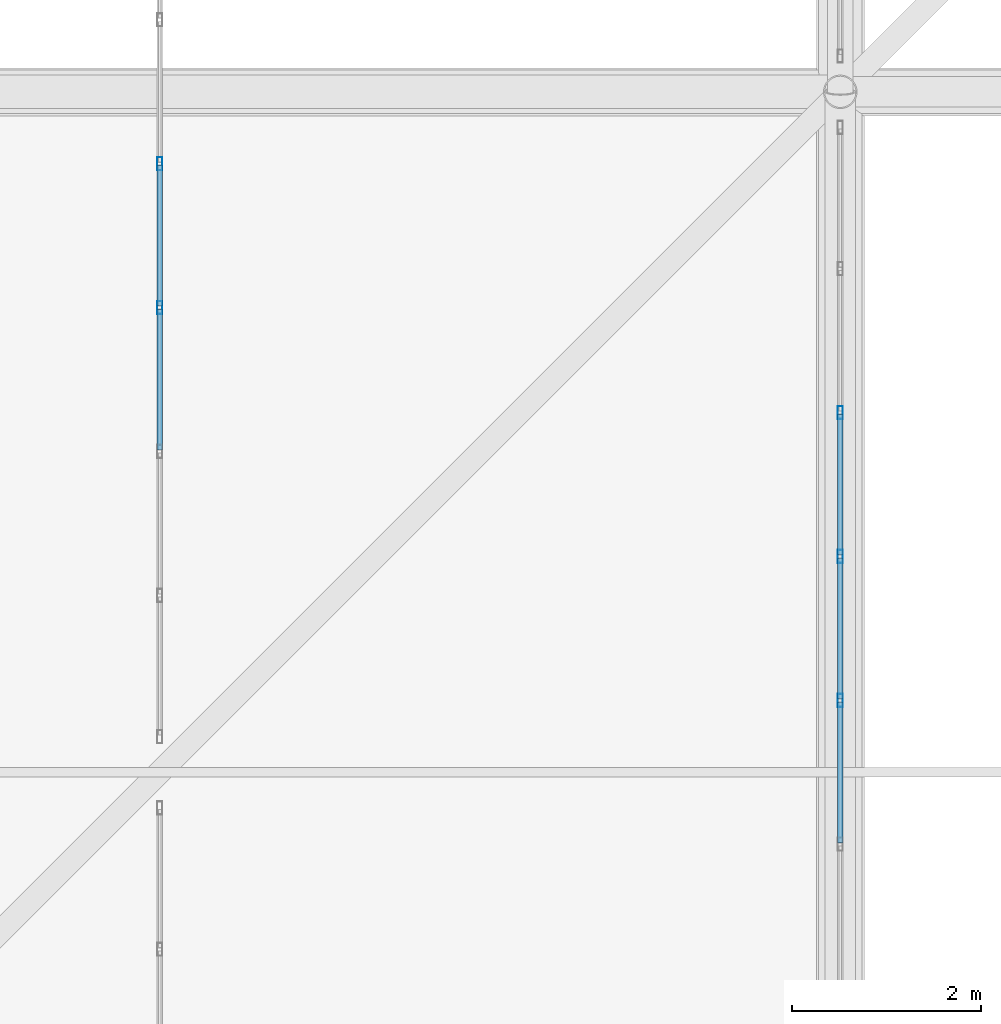
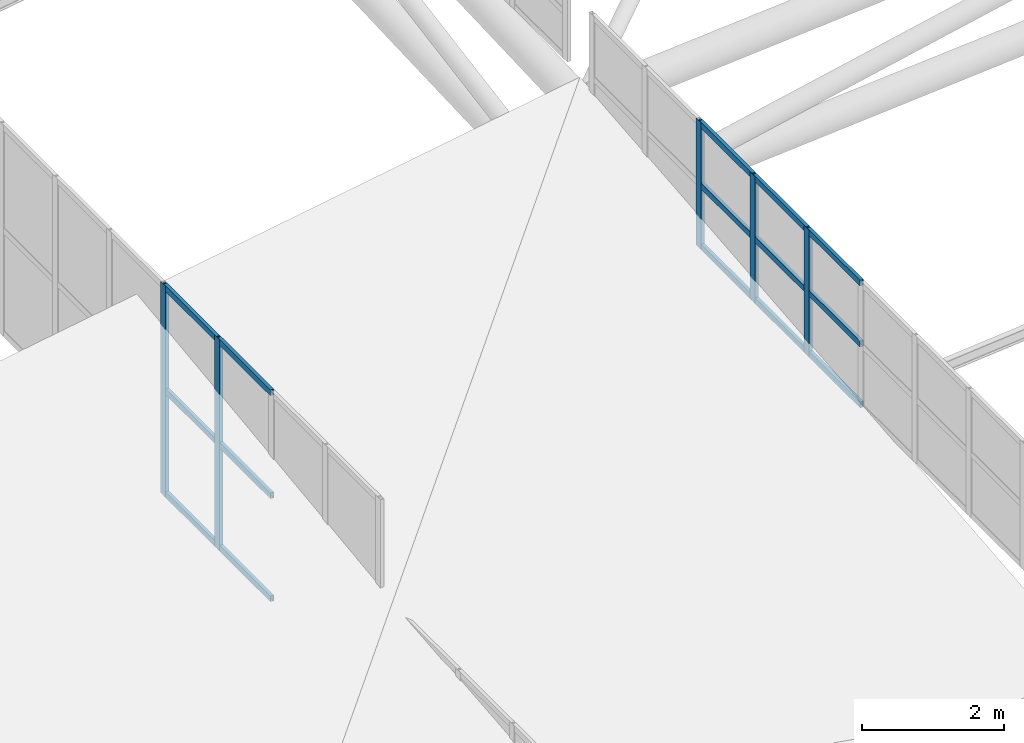
# One storey, part 58 of 397: 20 members, 2 elements without a shape of their own.
"""IFC4 building model written with IfcOpenShell, lengths in metres."""

from ifc_helpers import new_model, si_unit, direction, frame, origin, origin_2d, place, context, subcontext, project, spatial, hollow_rectangle, extrude, material, material_profile, profile_set, type_object, element, aggregate, save


model = new_model("IFC4")

# Units and contexts
model_context = context("Model", 3, precision=1e-05, world=origin(), true_north=direction((0.0, 1.0)))
body_context = subcontext(model_context, "Body", "Model", "MODEL_VIEW")
ifc_project = project(units=[si_unit("LENGTHUNIT", "METRE"), si_unit("AREAUNIT", "SQUARE_METRE"), si_unit("VOLUMEUNIT", "CUBIC_METRE"), si_unit("PLANEANGLEUNIT", "RADIAN"), si_unit("MASSUNIT", "GRAM", prefix="KILO")], contexts=[model_context])

# Site, building, storey
site_placement = place(None, origin())
site = spatial("IfcSite", under=ifc_project, at=site_placement, CompositionType="ELEMENT")
building_placement = place(site_placement, origin())
building = spatial("IfcBuilding", under=site, at=building_placement, Name="Qandorah Velis Arena", CompositionType="ELEMENT")
storey_placement = place(building_placement, frame((0.0, 0.0, 27.5)))
storey = spatial("IfcBuildingStorey", under=building, at=storey_placement, Name="RF", CompositionType="ELEMENT", Elevation=27.5)

# Curtain wall, members
ifc_material_1 = material(Name="Solar-control low-E double glazing", Category="glass")
curtain_wall_type_1 = type_object("IfcCurtainWallType", Name="ARC-CW-SYS08", PredefinedType="USERDEFINED", material=ifc_material_1)
curtain_wall_1_placement = place(storey_placement, origin())
curtain_wall_1 = element("IfcCurtainWall", 1, at=curtain_wall_1_placement, inside=storey, type_object=curtain_wall_type_1, Name="Unitised curtain wall MON-1-2", ObjectType="UNITISED CURTAIN WALL", PredefinedType="USERDEFINED")
ifc_material_2 = material(Name="Champagne-bronze anodized aluminium 6063-T6", Category="aluminium")
ifc_material_profile_1 = material_profile(ifc_material_2, hollow_rectangle(XDim=0.054931640625, YDim=0.139892578125, WallThickness=0.0029296875, at=origin_2d()), Name="ALU MULLION 55x140")
ifc_profile_set_1 = profile_set([ifc_material_profile_1], Name="Champagne-bronze anodized aluminium 6063-T6")
member_type_1 = type_object("IfcMemberType", Name="ARC-CWM-140", PredefinedType="MULLION", material=ifc_profile_set_1)
member_1_placement = place(storey_placement, frame((21.60009765625, 40.916748046875, 5.13427734375), z_axis=(0.0, 0.0, 1.0), x_axis=(-1.0, 0.0, 0.0)))
member_1 = element("IfcMember", 2, at=member_1_placement, type_object=member_type_1, Name="CW08 mullion 4", PredefinedType="MULLION", context=body_context, shape_type="SweptSolid", body=[
    extrude(hollow_rectangle(XDim=0.054931640625, YDim=0.139892578125, WallThickness=0.0029296875, at=origin_2d()), origin(), (0.0, 0.0, 1.0), 3.630126953125),
])
member_2_placement = place(storey_placement, frame((21.60009765625, 42.43896484375, 5.13427734375), z_axis=(0.0, 0.0, 1.0), x_axis=(-1.0, 0.0, 0.0)))
member_2 = element("IfcMember", 3, at=member_2_placement, type_object=member_type_1, Name="CW08 mullion 5", PredefinedType="MULLION", context=body_context, shape_type="SweptSolid", body=[
    extrude(hollow_rectangle(XDim=0.054931640625, YDim=0.139892578125, WallThickness=0.0029296875, at=origin_2d()), origin(), (0.0, 0.0, 1.0), 3.630126953125),
])

curtain_wall_type_2 = type_object("IfcCurtainWallType", Name="ARC-CW-SYS06", PredefinedType="USERDEFINED", material=ifc_material_1)
curtain_wall_2_placement = place(storey_placement, origin())
curtain_wall_2 = element("IfcCurtainWall", 4, at=curtain_wall_2_placement, inside=storey, type_object=curtain_wall_type_2, Name="Unitised curtain wall OCULUS-1-1", ObjectType="UNITISED CURTAIN WALL", PredefinedType="USERDEFINED")
member_3_placement = place(storey_placement, frame((28.800048828125, 36.76123046875, 8.470947265625), z_axis=(0.0, 0.0, 1.0), x_axis=(-1.0, 0.0, 0.0)))
member_3 = element("IfcMember", 5, at=member_3_placement, type_object=member_type_1, Name="CW06 mullion 6", PredefinedType="MULLION", context=body_context, shape_type="SweptSolid", body=[
    extrude(hollow_rectangle(XDim=0.054931640625, YDim=0.139892578125, WallThickness=0.0029296875, at=origin_2d()), origin(), (0.0, 0.0, 1.0), 2.179931640625),
])
member_4_placement = place(storey_placement, frame((28.800048828125, 38.283447265625, 8.470947265625), z_axis=(0.0, 0.0, 1.0), x_axis=(-1.0, 0.0, 0.0)))
member_4 = element("IfcMember", 6, at=member_4_placement, type_object=member_type_1, Name="CW06 mullion 7", PredefinedType="MULLION", context=body_context, shape_type="SweptSolid", body=[
    extrude(hollow_rectangle(XDim=0.054931640625, YDim=0.139892578125, WallThickness=0.0029296875, at=origin_2d()), origin(), (0.0, 0.0, 1.0), 2.179931640625),
])
member_5_placement = place(storey_placement, frame((28.800048828125, 39.8056640625, 8.470947265625), z_axis=(0.0, 0.0, 1.0), x_axis=(-1.0, 0.0, 0.0)))
member_5 = element("IfcMember", 7, at=member_5_placement, type_object=member_type_1, Name="CW06 mullion 8", PredefinedType="MULLION", context=body_context, shape_type="SweptSolid", body=[
    extrude(hollow_rectangle(XDim=0.054931640625, YDim=0.139892578125, WallThickness=0.0029296875, at=origin_2d()), origin(), (0.0, 0.0, 1.0), 2.179931640625),
])

# Member
ifc_material_profile_2 = material_profile(ifc_material_2, hollow_rectangle(XDim=0.054931640625, YDim=0.10009765625, WallThickness=0.0029296875, at=origin_2d()), Name="ALU TRANSOM 55x100")
ifc_profile_set_2 = profile_set([ifc_material_profile_2], Name="Champagne-bronze anodized aluminium 6063-T6")
member_type_2 = type_object("IfcMemberType", Name="ARC-CWT-100", PredefinedType="USERDEFINED", material=ifc_profile_set_2)
member_6_placement = place(storey_placement, frame((21.60009765625, 39.409912109375, 5.1767578125), z_axis=(0.0, 1.0, 0.0), x_axis=(-1.0, 0.0, 0.0)))
member_6 = element("IfcMember", 8, at=member_6_placement, type_object=member_type_2, Name="CW08 transom 3.1", ObjectType="TRANSOM", PredefinedType="USERDEFINED", context=body_context, shape_type="SweptSolid", body=[
    extrude(hollow_rectangle(XDim=0.054931640625, YDim=0.10009765625, WallThickness=0.0029296875, at=origin_2d()), origin(), (0.0, 0.0, 1.0), 1.4912109375),
])

member_7_placement = place(storey_placement, frame((21.60009765625, 39.409912109375, 6.94921875), z_axis=(0.0, 1.0, 0.0), x_axis=(-1.0, 0.0, 0.0)))
member_7 = element("IfcMember", 9, at=member_7_placement, type_object=member_type_2, Name="CW08 transom 3.2", ObjectType="TRANSOM", PredefinedType="USERDEFINED", context=body_context, shape_type="SweptSolid", body=[
    extrude(hollow_rectangle(XDim=0.054931640625, YDim=0.10009765625, WallThickness=0.0029296875, at=origin_2d()), origin(), (0.0, 0.0, 1.0), 1.4912109375),
])

member_8_placement = place(storey_placement, frame((21.60009765625, 39.409912109375, 8.7216796875), z_axis=(0.0, 1.0, 0.0), x_axis=(-1.0, 0.0, 0.0)))
member_8 = element("IfcMember", 10, at=member_8_placement, type_object=member_type_2, Name="CW08 transom 3.3", ObjectType="TRANSOM", PredefinedType="USERDEFINED", context=body_context, shape_type="SweptSolid", body=[
    extrude(hollow_rectangle(XDim=0.054931640625, YDim=0.10009765625, WallThickness=0.0029296875, at=origin_2d()), origin(), (0.0, 0.0, 1.0), 1.4912109375),
])

member_9_placement = place(storey_placement, frame((21.60009765625, 40.93212890625, 5.1767578125), z_axis=(0.0, 1.0, 0.0), x_axis=(-1.0, 0.0, 0.0)))
member_9 = element("IfcMember", 11, at=member_9_placement, type_object=member_type_2, Name="CW08 transom 4.1", ObjectType="TRANSOM", PredefinedType="USERDEFINED", context=body_context, shape_type="SweptSolid", body=[
    extrude(hollow_rectangle(XDim=0.054931640625, YDim=0.10009765625, WallThickness=0.0029296875, at=origin_2d()), origin(), (0.0, 0.0, 1.0), 1.4912109375),
])

member_10_placement = place(storey_placement, frame((21.60009765625, 40.93212890625, 6.94921875), z_axis=(0.0, 1.0, 0.0), x_axis=(-1.0, 0.0, 0.0)))
member_10 = element("IfcMember", 12, at=member_10_placement, type_object=member_type_2, Name="CW08 transom 4.2", ObjectType="TRANSOM", PredefinedType="USERDEFINED", context=body_context, shape_type="SweptSolid", body=[
    extrude(hollow_rectangle(XDim=0.054931640625, YDim=0.10009765625, WallThickness=0.0029296875, at=origin_2d()), origin(), (0.0, 0.0, 1.0), 1.4912109375),
])

member_11_placement = place(storey_placement, frame((21.60009765625, 40.93212890625, 8.7216796875), z_axis=(0.0, 1.0, 0.0), x_axis=(-1.0, 0.0, 0.0)))
member_11 = element("IfcMember", 13, at=member_11_placement, type_object=member_type_2, Name="CW08 transom 4.3", ObjectType="TRANSOM", PredefinedType="USERDEFINED", context=body_context, shape_type="SweptSolid", body=[
    extrude(hollow_rectangle(XDim=0.054931640625, YDim=0.10009765625, WallThickness=0.0029296875, at=origin_2d()), origin(), (0.0, 0.0, 1.0), 1.4912109375),
])

aggregate(curtain_wall_1, [member_1, member_2, member_6, member_7, member_8, member_9, member_10, member_11])

member_12_placement = place(storey_placement, frame((28.800048828125, 35.25439453125, 8.513427734375), z_axis=(0.0, 1.0, 0.0), x_axis=(-1.0, 0.0, 0.0)))
member_12 = element("IfcMember", 14, at=member_12_placement, type_object=member_type_2, Name="CW06 transom 5.1", ObjectType="TRANSOM", PredefinedType="USERDEFINED", context=body_context, shape_type="SweptSolid", body=[
    extrude(hollow_rectangle(XDim=0.054931640625, YDim=0.10009765625, WallThickness=0.0029296875, at=origin_2d()), origin(), (0.0, 0.0, 1.0), 1.4912109375),
])

member_13_placement = place(storey_placement, frame((28.800048828125, 35.25439453125, 9.56103515625), z_axis=(0.0, 1.0, 0.0), x_axis=(-1.0, 0.0, 0.0)))
member_13 = element("IfcMember", 15, at=member_13_placement, type_object=member_type_2, Name="CW06 transom 5.2", ObjectType="TRANSOM", PredefinedType="USERDEFINED", context=body_context, shape_type="SweptSolid", body=[
    extrude(hollow_rectangle(XDim=0.054931640625, YDim=0.10009765625, WallThickness=0.0029296875, at=origin_2d()), origin(), (0.0, 0.0, 1.0), 1.4912109375),
])

member_14_placement = place(storey_placement, frame((28.800048828125, 35.25439453125, 10.6083984375), z_axis=(0.0, 1.0, 0.0), x_axis=(-1.0, 0.0, 0.0)))
member_14 = element("IfcMember", 16, at=member_14_placement, type_object=member_type_2, Name="CW06 transom 5.3", ObjectType="TRANSOM", PredefinedType="USERDEFINED", context=body_context, shape_type="SweptSolid", body=[
    extrude(hollow_rectangle(XDim=0.054931640625, YDim=0.10009765625, WallThickness=0.0029296875, at=origin_2d()), origin(), (0.0, 0.0, 1.0), 1.4912109375),
])

member_15_placement = place(storey_placement, frame((28.800048828125, 36.776611328125, 8.513427734375), z_axis=(0.0, 1.0, 0.0), x_axis=(-1.0, 0.0, 0.0)))
member_15 = element("IfcMember", 17, at=member_15_placement, type_object=member_type_2, Name="CW06 transom 6.1", ObjectType="TRANSOM", PredefinedType="USERDEFINED", context=body_context, shape_type="SweptSolid", body=[
    extrude(hollow_rectangle(XDim=0.054931640625, YDim=0.10009765625, WallThickness=0.0029296875, at=origin_2d()), origin(), (0.0, 0.0, 1.0), 1.4912109375),
])

member_16_placement = place(storey_placement, frame((28.800048828125, 36.776611328125, 9.56103515625), z_axis=(0.0, 1.0, 0.0), x_axis=(-1.0, 0.0, 0.0)))
member_16 = element("IfcMember", 18, at=member_16_placement, type_object=member_type_2, Name="CW06 transom 6.2", ObjectType="TRANSOM", PredefinedType="USERDEFINED", context=body_context, shape_type="SweptSolid", body=[
    extrude(hollow_rectangle(XDim=0.054931640625, YDim=0.10009765625, WallThickness=0.0029296875, at=origin_2d()), origin(), (0.0, 0.0, 1.0), 1.4912109375),
])

member_17_placement = place(storey_placement, frame((28.800048828125, 36.776611328125, 10.6083984375), z_axis=(0.0, 1.0, 0.0), x_axis=(-1.0, 0.0, 0.0)))
member_17 = element("IfcMember", 19, at=member_17_placement, type_object=member_type_2, Name="CW06 transom 6.3", ObjectType="TRANSOM", PredefinedType="USERDEFINED", context=body_context, shape_type="SweptSolid", body=[
    extrude(hollow_rectangle(XDim=0.054931640625, YDim=0.10009765625, WallThickness=0.0029296875, at=origin_2d()), origin(), (0.0, 0.0, 1.0), 1.4912109375),
])

member_18_placement = place(storey_placement, frame((28.800048828125, 38.298828125, 8.513427734375), z_axis=(0.0, 1.0, 0.0), x_axis=(-1.0, 0.0, 0.0)))
member_18 = element("IfcMember", 20, at=member_18_placement, type_object=member_type_2, Name="CW06 transom 7.1", ObjectType="TRANSOM", PredefinedType="USERDEFINED", context=body_context, shape_type="SweptSolid", body=[
    extrude(hollow_rectangle(XDim=0.054931640625, YDim=0.10009765625, WallThickness=0.0029296875, at=origin_2d()), origin(), (0.0, 0.0, 1.0), 1.4912109375),
])

member_19_placement = place(storey_placement, frame((28.800048828125, 38.298828125, 9.56103515625), z_axis=(0.0, 1.0, 0.0), x_axis=(-1.0, 0.0, 0.0)))
member_19 = element("IfcMember", 21, at=member_19_placement, type_object=member_type_2, Name="CW06 transom 7.2", ObjectType="TRANSOM", PredefinedType="USERDEFINED", context=body_context, shape_type="SweptSolid", body=[
    extrude(hollow_rectangle(XDim=0.054931640625, YDim=0.10009765625, WallThickness=0.0029296875, at=origin_2d()), origin(), (0.0, 0.0, 1.0), 1.4912109375),
])

member_20_placement = place(storey_placement, frame((28.800048828125, 38.298828125, 10.6083984375), z_axis=(0.0, 1.0, 0.0), x_axis=(-1.0, 0.0, 0.0)))
member_20 = element("IfcMember", 22, at=member_20_placement, type_object=member_type_2, Name="CW06 transom 7.3", ObjectType="TRANSOM", PredefinedType="USERDEFINED", context=body_context, shape_type="SweptSolid", body=[
    extrude(hollow_rectangle(XDim=0.054931640625, YDim=0.10009765625, WallThickness=0.0029296875, at=origin_2d()), origin(), (0.0, 0.0, 1.0), 1.4912109375),
])

aggregate(curtain_wall_2, [member_3, member_4, member_5, member_12, member_13, member_14, member_15, member_16, member_17, member_18, member_19, member_20])

save(model, "model.ifc")
